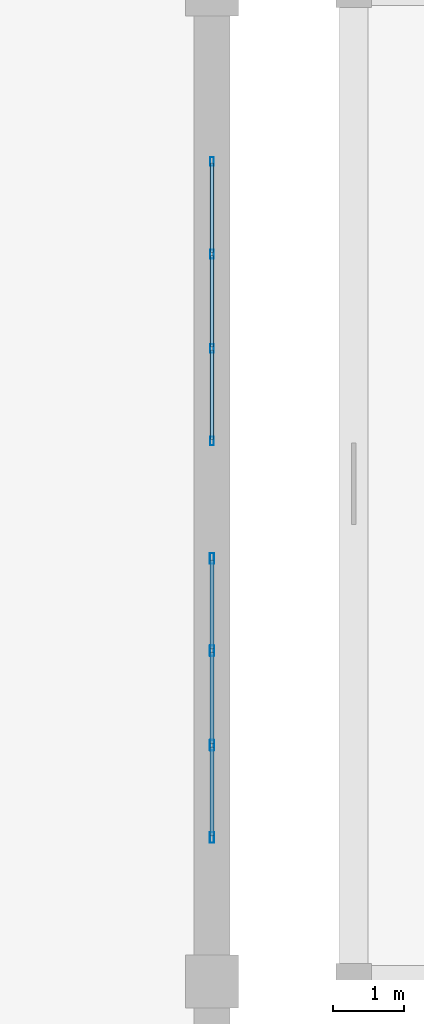
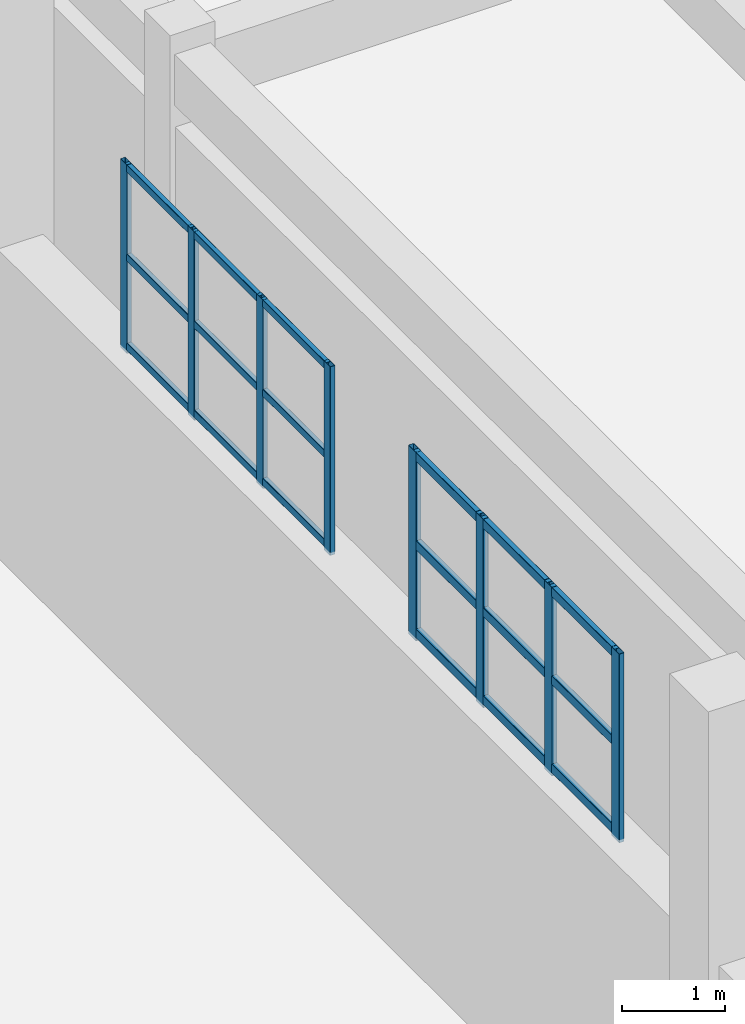
# One storey, part 116 of 197: 26 members, 2 elements without a shape of their own.
"""IFC4 building model written with IfcOpenShell, lengths in metres."""

from ifc_helpers import new_model, si_unit, derived_unit, direction, frame, origin, origin_2d, place, context, subcontext, project, spatial, hollow_rectangle, extrude, material, layer, layer_set, material_profile, profile_set, type_object, element, aggregate, save


model = new_model("IFC4")

# Units and contexts
model_context = context("Model", 3, precision=1e-05, world=origin(), true_north=direction((0.0, 1.0)))
body_context = subcontext(model_context, "Body", "Model", "MODEL_VIEW")
ifc_project = project(units=[si_unit("LENGTHUNIT", "METRE"), si_unit("AREAUNIT", "SQUARE_METRE"), si_unit("VOLUMEUNIT", "CUBIC_METRE"), si_unit("PLANEANGLEUNIT", "RADIAN"), si_unit("MASSUNIT", "GRAM", prefix="KILO"), derived_unit("THERMALTRANSMITTANCEUNIT", [(si_unit("POWERUNIT", "WATT"), 1), (si_unit("LENGTHUNIT", "METRE"), -2), (si_unit("THERMODYNAMICTEMPERATUREUNIT", "KELVIN"), -1)])], contexts=[model_context])

# Site, building, storey
site_placement = place(None, origin())
site = spatial("IfcSite", under=ifc_project, at=site_placement, CompositionType="ELEMENT")
building_placement = place(site_placement, origin())
building = spatial("IfcBuilding", under=site, at=building_placement, Name="Almenara Railside Exhibition Hall", CompositionType="ELEMENT")
storey_placement = place(building_placement, frame((0.0, 0.0, 5.39990234375)))
storey = spatial("IfcBuildingStorey", under=building, at=storey_placement, Name="L01", CompositionType="ELEMENT", Elevation=5.39990234375)

# Curtain wall, members
ifc_material_1 = material(Name="Bronze-anodised aluminium and low-E double glazing", Category="aluminium")
ifc_layer = layer(ifc_material_1, 0.179931640625, Name="Bronze-anodised aluminium and low-E double glazing")
ifc_layer_set = layer_set([ifc_layer], Name="Bronze-anodised aluminium and low-E double glazing")
curtain_wall_type = type_object("IfcCurtainWallType", Name="East Hall Clerestory Curtain Wall 4000x2100", PredefinedType="NOTDEFINED", material=ifc_layer_set)
curtain_wall_1_placement = place(storey_placement, origin())
curtain_wall_1 = element("IfcCurtainWall", 1, at=curtain_wall_1_placement, inside=storey, type_object=curtain_wall_type, Name="Curtain wall CW-CL4-058", PredefinedType="NOTDEFINED")
ifc_material_2 = material(Name="Bronze-anodised aluminium", Category="aluminium")
ifc_material_profile_1 = material_profile(ifc_material_2, hollow_rectangle(XDim=0.054931640625, YDim=0.125, WallThickness=0.0029296875, InnerFilletRadius=0.0029296875, OuterFilletRadius=0.006103515625, at=origin_2d()), Name="ALU-MUL 55x125x3")
ifc_profile_set_1 = profile_set([ifc_material_profile_1], Name="Bronze-anodised aluminium")
member_type_1 = type_object("IfcMemberType", Name="Curtain Wall Mullion 55x125x3", PredefinedType="MULLION", material=ifc_profile_set_1)
member_1_placement = place(storey_placement, frame((192.0, 55.62744140625, 3.614990234375), z_axis=(0.0, 0.0, 1.0), x_axis=(-1.0, 0.0, 0.0)))
member_1 = element("IfcMember", 2, at=member_1_placement, type_object=member_type_1, Name="CW-CL4-058 mullion 1", PredefinedType="MULLION", context=body_context, shape_type="SweptSolid", body=[
    extrude(hollow_rectangle(XDim=0.054931640625, YDim=0.125, WallThickness=0.0029296875, InnerFilletRadius=0.0029296875, OuterFilletRadius=0.006103515625, at=origin_2d()), origin(), (0.0, 0.0, 1.0), 2.235107421875),
])
member_2_placement = place(storey_placement, frame((192.0, 56.933349609375, 3.614990234375), z_axis=(0.0, 0.0, 1.0), x_axis=(-1.0, 0.0, 0.0)))
member_2 = element("IfcMember", 3, at=member_2_placement, type_object=member_type_1, Name="CW-CL4-058 mullion 2", PredefinedType="MULLION", context=body_context, shape_type="SweptSolid", body=[
    extrude(hollow_rectangle(XDim=0.054931640625, YDim=0.125, WallThickness=0.0029296875, InnerFilletRadius=0.0029296875, OuterFilletRadius=0.006103515625, at=origin_2d()), origin(), (0.0, 0.0, 1.0), 2.235107421875),
])
member_3_placement = place(storey_placement, frame((192.0, 58.2666015625, 3.614990234375), z_axis=(0.0, 0.0, 1.0), x_axis=(-1.0, 0.0, 0.0)))
member_3 = element("IfcMember", 4, at=member_3_placement, type_object=member_type_1, Name="CW-CL4-058 mullion 3", PredefinedType="MULLION", context=body_context, shape_type="SweptSolid", body=[
    extrude(hollow_rectangle(XDim=0.054931640625, YDim=0.125, WallThickness=0.0029296875, InnerFilletRadius=0.0029296875, OuterFilletRadius=0.006103515625, at=origin_2d()), origin(), (0.0, 0.0, 1.0), 2.235107421875),
])
member_4_placement = place(storey_placement, frame((192.0, 59.572509765625, 3.614990234375), z_axis=(0.0, 0.0, 1.0), x_axis=(-1.0, 0.0, 0.0)))
member_4 = element("IfcMember", 5, at=member_4_placement, type_object=member_type_1, Name="CW-CL4-058 mullion 4", PredefinedType="MULLION", context=body_context, shape_type="SweptSolid", body=[
    extrude(hollow_rectangle(XDim=0.054931640625, YDim=0.125, WallThickness=0.0029296875, InnerFilletRadius=0.0029296875, OuterFilletRadius=0.006103515625, at=origin_2d()), origin(), (0.0, 0.0, 1.0), 2.235107421875),
])

curtain_wall_2_placement = place(storey_placement, origin())
curtain_wall_2 = element("IfcCurtainWall", 6, at=curtain_wall_2_placement, inside=storey, type_object=curtain_wall_type, Name="Curtain wall CW-CL4-057", PredefinedType="NOTDEFINED")
ifc_material_profile_2 = material_profile(ifc_material_2, hollow_rectangle(XDim=0.06005859375, YDim=0.14990234375, WallThickness=0.00341796875, InnerFilletRadius=0.00341796875, OuterFilletRadius=0.007080078125, at=origin_2d()), Name="ALU-MUL 60x150x3.5")
ifc_profile_set_2 = profile_set([ifc_material_profile_2], Name="Bronze-anodised aluminium")
member_type_2 = type_object("IfcMemberType", Name="Curtain Wall Mullion 60x150x3.5", PredefinedType="MULLION", material=ifc_profile_set_2)
member_5_placement = place(storey_placement, frame((192.0, 50.030029296875, 3.614990234375), z_axis=(0.0, 0.0, 1.0), x_axis=(-1.0, 0.0, 0.0)))
member_5 = element("IfcMember", 7, at=member_5_placement, type_object=member_type_2, Name="CW-CL4-057 mullion 1", PredefinedType="MULLION", context=body_context, shape_type="SweptSolid", body=[
    extrude(hollow_rectangle(XDim=0.06005859375, YDim=0.14990234375, WallThickness=0.00341796875, InnerFilletRadius=0.00341796875, OuterFilletRadius=0.007080078125, at=origin_2d()), origin(), (0.0, 0.0, 1.0), 2.235107421875),
])
member_6_placement = place(storey_placement, frame((192.0, 51.333251953125, 3.614990234375), z_axis=(0.0, 0.0, 1.0), x_axis=(-1.0, 0.0, 0.0)))
member_6 = element("IfcMember", 8, at=member_6_placement, type_object=member_type_2, Name="CW-CL4-057 mullion 2", PredefinedType="MULLION", context=body_context, shape_type="SweptSolid", body=[
    extrude(hollow_rectangle(XDim=0.06005859375, YDim=0.14990234375, WallThickness=0.00341796875, InnerFilletRadius=0.00341796875, OuterFilletRadius=0.007080078125, at=origin_2d()), origin(), (0.0, 0.0, 1.0), 2.235107421875),
])
member_7_placement = place(storey_placement, frame((192.0, 52.666748046875, 3.614990234375), z_axis=(0.0, 0.0, 1.0), x_axis=(-1.0, 0.0, 0.0)))
member_7 = element("IfcMember", 9, at=member_7_placement, type_object=member_type_2, Name="CW-CL4-057 mullion 3", PredefinedType="MULLION", context=body_context, shape_type="SweptSolid", body=[
    extrude(hollow_rectangle(XDim=0.06005859375, YDim=0.14990234375, WallThickness=0.00341796875, InnerFilletRadius=0.00341796875, OuterFilletRadius=0.007080078125, at=origin_2d()), origin(), (0.0, 0.0, 1.0), 2.235107421875),
])
member_8_placement = place(storey_placement, frame((192.0, 53.969970703125, 3.614990234375), z_axis=(0.0, 0.0, 1.0), x_axis=(-1.0, 0.0, 0.0)))
member_8 = element("IfcMember", 10, at=member_8_placement, type_object=member_type_2, Name="CW-CL4-057 mullion 4", PredefinedType="MULLION", context=body_context, shape_type="SweptSolid", body=[
    extrude(hollow_rectangle(XDim=0.06005859375, YDim=0.14990234375, WallThickness=0.00341796875, InnerFilletRadius=0.00341796875, OuterFilletRadius=0.007080078125, at=origin_2d()), origin(), (0.0, 0.0, 1.0), 2.235107421875),
])

# Member
ifc_material_profile_3 = material_profile(ifc_material_2, hollow_rectangle(XDim=0.054931640625, YDim=0.090087890625, WallThickness=0.0029296875, InnerFilletRadius=0.0029296875, OuterFilletRadius=0.006103515625, at=origin_2d()), Name="ALU-TRN 55x90x3")
ifc_profile_set_3 = profile_set([ifc_material_profile_3], Name="Bronze-anodised aluminium")
member_type_3 = type_object("IfcMemberType", Name="Curtain Wall Transom 55x90x3", PredefinedType="USERDEFINED", material=ifc_profile_set_3)
member_9_placement = place(storey_placement, frame((192.0, 55.64697265625, 3.695068359375), z_axis=(0.0, 1.0, 0.0), x_axis=(-1.0, 0.0, 0.0)))
member_9 = element("IfcMember", 11, at=member_9_placement, type_object=member_type_3, Name="CW-CL4-058 transom 1.1", ObjectType="TRANSOM", PredefinedType="USERDEFINED", context=body_context, shape_type="SweptSolid", body=[
    extrude(hollow_rectangle(XDim=0.054931640625, YDim=0.090087890625, WallThickness=0.0029296875, InnerFilletRadius=0.0029296875, OuterFilletRadius=0.006103515625, at=origin_2d()), origin(), (0.0, 0.0, 1.0), 1.266845703125),
])

member_10_placement = place(storey_placement, frame((192.0, 55.64697265625, 4.75), z_axis=(0.0, 1.0, 0.0), x_axis=(-1.0, 0.0, 0.0)))
member_10 = element("IfcMember", 12, at=member_10_placement, type_object=member_type_3, Name="CW-CL4-058 transom 1.2", ObjectType="TRANSOM", PredefinedType="USERDEFINED", context=body_context, shape_type="SweptSolid", body=[
    extrude(hollow_rectangle(XDim=0.054931640625, YDim=0.090087890625, WallThickness=0.0029296875, InnerFilletRadius=0.0029296875, OuterFilletRadius=0.006103515625, at=origin_2d()), origin(), (0.0, 0.0, 1.0), 1.266845703125),
])

member_11_placement = place(storey_placement, frame((192.0, 55.64697265625, 5.80517578125), z_axis=(0.0, 1.0, 0.0), x_axis=(-1.0, 0.0, 0.0)))
member_11 = element("IfcMember", 13, at=member_11_placement, type_object=member_type_3, Name="CW-CL4-058 transom 1.3", ObjectType="TRANSOM", PredefinedType="USERDEFINED", context=body_context, shape_type="SweptSolid", body=[
    extrude(hollow_rectangle(XDim=0.054931640625, YDim=0.090087890625, WallThickness=0.0029296875, InnerFilletRadius=0.0029296875, OuterFilletRadius=0.006103515625, at=origin_2d()), origin(), (0.0, 0.0, 1.0), 1.266845703125),
])

member_12_placement = place(storey_placement, frame((192.0, 56.952880859375, 3.695068359375), z_axis=(0.0, 1.0, 0.0), x_axis=(-1.0, 0.0, 0.0)))
member_12 = element("IfcMember", 14, at=member_12_placement, type_object=member_type_3, Name="CW-CL4-058 transom 2.1", ObjectType="TRANSOM", PredefinedType="USERDEFINED", context=body_context, shape_type="SweptSolid", body=[
    extrude(hollow_rectangle(XDim=0.054931640625, YDim=0.090087890625, WallThickness=0.0029296875, InnerFilletRadius=0.0029296875, OuterFilletRadius=0.006103515625, at=origin_2d()), origin(), (0.0, 0.0, 1.0), 1.294189453125),
])

member_13_placement = place(storey_placement, frame((192.0, 56.952880859375, 4.75), z_axis=(0.0, 1.0, 0.0), x_axis=(-1.0, 0.0, 0.0)))
member_13 = element("IfcMember", 15, at=member_13_placement, type_object=member_type_3, Name="CW-CL4-058 transom 2.2", ObjectType="TRANSOM", PredefinedType="USERDEFINED", context=body_context, shape_type="SweptSolid", body=[
    extrude(hollow_rectangle(XDim=0.054931640625, YDim=0.090087890625, WallThickness=0.0029296875, InnerFilletRadius=0.0029296875, OuterFilletRadius=0.006103515625, at=origin_2d()), origin(), (0.0, 0.0, 1.0), 1.294189453125),
])

member_14_placement = place(storey_placement, frame((192.0, 56.952880859375, 5.80517578125), z_axis=(0.0, 1.0, 0.0), x_axis=(-1.0, 0.0, 0.0)))
member_14 = element("IfcMember", 16, at=member_14_placement, type_object=member_type_3, Name="CW-CL4-058 transom 2.3", ObjectType="TRANSOM", PredefinedType="USERDEFINED", context=body_context, shape_type="SweptSolid", body=[
    extrude(hollow_rectangle(XDim=0.054931640625, YDim=0.090087890625, WallThickness=0.0029296875, InnerFilletRadius=0.0029296875, OuterFilletRadius=0.006103515625, at=origin_2d()), origin(), (0.0, 0.0, 1.0), 1.294189453125),
])

member_15_placement = place(storey_placement, frame((192.0, 58.2861328125, 3.695068359375), z_axis=(0.0, 1.0, 0.0), x_axis=(-1.0, 0.0, 0.0)))
member_15 = element("IfcMember", 17, at=member_15_placement, type_object=member_type_3, Name="CW-CL4-058 transom 3.1", ObjectType="TRANSOM", PredefinedType="USERDEFINED", context=body_context, shape_type="SweptSolid", body=[
    extrude(hollow_rectangle(XDim=0.054931640625, YDim=0.090087890625, WallThickness=0.0029296875, InnerFilletRadius=0.0029296875, OuterFilletRadius=0.006103515625, at=origin_2d()), origin(), (0.0, 0.0, 1.0), 1.266845703125),
])

member_16_placement = place(storey_placement, frame((192.0, 58.2861328125, 4.75), z_axis=(0.0, 1.0, 0.0), x_axis=(-1.0, 0.0, 0.0)))
member_16 = element("IfcMember", 18, at=member_16_placement, type_object=member_type_3, Name="CW-CL4-058 transom 3.2", ObjectType="TRANSOM", PredefinedType="USERDEFINED", context=body_context, shape_type="SweptSolid", body=[
    extrude(hollow_rectangle(XDim=0.054931640625, YDim=0.090087890625, WallThickness=0.0029296875, InnerFilletRadius=0.0029296875, OuterFilletRadius=0.006103515625, at=origin_2d()), origin(), (0.0, 0.0, 1.0), 1.266845703125),
])

member_17_placement = place(storey_placement, frame((192.0, 58.2861328125, 5.80517578125), z_axis=(0.0, 1.0, 0.0), x_axis=(-1.0, 0.0, 0.0)))
member_17 = element("IfcMember", 19, at=member_17_placement, type_object=member_type_3, Name="CW-CL4-058 transom 3.3", ObjectType="TRANSOM", PredefinedType="USERDEFINED", context=body_context, shape_type="SweptSolid", body=[
    extrude(hollow_rectangle(XDim=0.054931640625, YDim=0.090087890625, WallThickness=0.0029296875, InnerFilletRadius=0.0029296875, OuterFilletRadius=0.006103515625, at=origin_2d()), origin(), (0.0, 0.0, 1.0), 1.266845703125),
])

aggregate(curtain_wall_1, [member_1, member_2, member_3, member_4, member_9, member_10, member_11, member_12, member_13, member_14, member_15, member_16, member_17])

ifc_material_profile_4 = material_profile(ifc_material_2, hollow_rectangle(XDim=0.06005859375, YDim=0.110107421875, WallThickness=0.0029296875, InnerFilletRadius=0.0029296875, OuterFilletRadius=0.006103515625, at=origin_2d()), Name="ALU-TRN 60x110x3")
ifc_profile_set_4 = profile_set([ifc_material_profile_4], Name="Bronze-anodised aluminium")
member_type_4 = type_object("IfcMemberType", Name="Curtain Wall Transom 60x110x3", PredefinedType="USERDEFINED", material=ifc_profile_set_4)
member_18_placement = place(storey_placement, frame((192.0, 50.052001953125, 3.705078125), z_axis=(0.0, 1.0, 0.0), x_axis=(-1.0, 0.0, 0.0)))
member_18 = element("IfcMember", 20, at=member_18_placement, type_object=member_type_4, Name="CW-CL4-057 transom 1.1", ObjectType="TRANSOM", PredefinedType="USERDEFINED", context=body_context, shape_type="SweptSolid", body=[
    extrude(hollow_rectangle(XDim=0.06005859375, YDim=0.110107421875, WallThickness=0.0029296875, InnerFilletRadius=0.0029296875, OuterFilletRadius=0.006103515625, at=origin_2d()), origin(), (0.0, 0.0, 1.0), 1.25927734375),
])

member_19_placement = place(storey_placement, frame((192.0, 50.052001953125, 4.75), z_axis=(0.0, 1.0, 0.0), x_axis=(-1.0, 0.0, 0.0)))
member_19 = element("IfcMember", 21, at=member_19_placement, type_object=member_type_4, Name="CW-CL4-057 transom 1.2", ObjectType="TRANSOM", PredefinedType="USERDEFINED", context=body_context, shape_type="SweptSolid", body=[
    extrude(hollow_rectangle(XDim=0.06005859375, YDim=0.110107421875, WallThickness=0.0029296875, InnerFilletRadius=0.0029296875, OuterFilletRadius=0.006103515625, at=origin_2d()), origin(), (0.0, 0.0, 1.0), 1.25927734375),
])

member_20_placement = place(storey_placement, frame((192.0, 50.052001953125, 5.795166015625), z_axis=(0.0, 1.0, 0.0), x_axis=(-1.0, 0.0, 0.0)))
member_20 = element("IfcMember", 22, at=member_20_placement, type_object=member_type_4, Name="CW-CL4-057 transom 1.3", ObjectType="TRANSOM", PredefinedType="USERDEFINED", context=body_context, shape_type="SweptSolid", body=[
    extrude(hollow_rectangle(XDim=0.06005859375, YDim=0.110107421875, WallThickness=0.0029296875, InnerFilletRadius=0.0029296875, OuterFilletRadius=0.006103515625, at=origin_2d()), origin(), (0.0, 0.0, 1.0), 1.25927734375),
])

member_21_placement = place(storey_placement, frame((192.0, 51.355224609375, 3.705078125), z_axis=(0.0, 1.0, 0.0), x_axis=(-1.0, 0.0, 0.0)))
member_21 = element("IfcMember", 23, at=member_21_placement, type_object=member_type_4, Name="CW-CL4-057 transom 2.1", ObjectType="TRANSOM", PredefinedType="USERDEFINED", context=body_context, shape_type="SweptSolid", body=[
    extrude(hollow_rectangle(XDim=0.06005859375, YDim=0.110107421875, WallThickness=0.0029296875, InnerFilletRadius=0.0029296875, OuterFilletRadius=0.006103515625, at=origin_2d()), origin(), (0.0, 0.0, 1.0), 1.28955078125),
])

member_22_placement = place(storey_placement, frame((192.0, 51.355224609375, 4.75), z_axis=(0.0, 1.0, 0.0), x_axis=(-1.0, 0.0, 0.0)))
member_22 = element("IfcMember", 24, at=member_22_placement, type_object=member_type_4, Name="CW-CL4-057 transom 2.2", ObjectType="TRANSOM", PredefinedType="USERDEFINED", context=body_context, shape_type="SweptSolid", body=[
    extrude(hollow_rectangle(XDim=0.06005859375, YDim=0.110107421875, WallThickness=0.0029296875, InnerFilletRadius=0.0029296875, OuterFilletRadius=0.006103515625, at=origin_2d()), origin(), (0.0, 0.0, 1.0), 1.28955078125),
])

member_23_placement = place(storey_placement, frame((192.0, 51.355224609375, 5.795166015625), z_axis=(0.0, 1.0, 0.0), x_axis=(-1.0, 0.0, 0.0)))
member_23 = element("IfcMember", 25, at=member_23_placement, type_object=member_type_4, Name="CW-CL4-057 transom 2.3", ObjectType="TRANSOM", PredefinedType="USERDEFINED", context=body_context, shape_type="SweptSolid", body=[
    extrude(hollow_rectangle(XDim=0.06005859375, YDim=0.110107421875, WallThickness=0.0029296875, InnerFilletRadius=0.0029296875, OuterFilletRadius=0.006103515625, at=origin_2d()), origin(), (0.0, 0.0, 1.0), 1.28955078125),
])

member_24_placement = place(storey_placement, frame((192.0, 52.688720703125, 3.705078125), z_axis=(0.0, 1.0, 0.0), x_axis=(-1.0, 0.0, 0.0)))
member_24 = element("IfcMember", 26, at=member_24_placement, type_object=member_type_4, Name="CW-CL4-057 transom 3.1", ObjectType="TRANSOM", PredefinedType="USERDEFINED", context=body_context, shape_type="SweptSolid", body=[
    extrude(hollow_rectangle(XDim=0.06005859375, YDim=0.110107421875, WallThickness=0.0029296875, InnerFilletRadius=0.0029296875, OuterFilletRadius=0.006103515625, at=origin_2d()), origin(), (0.0, 0.0, 1.0), 1.25927734375),
])

member_25_placement = place(storey_placement, frame((192.0, 52.688720703125, 4.75), z_axis=(0.0, 1.0, 0.0), x_axis=(-1.0, 0.0, 0.0)))
member_25 = element("IfcMember", 27, at=member_25_placement, type_object=member_type_4, Name="CW-CL4-057 transom 3.2", ObjectType="TRANSOM", PredefinedType="USERDEFINED", context=body_context, shape_type="SweptSolid", body=[
    extrude(hollow_rectangle(XDim=0.06005859375, YDim=0.110107421875, WallThickness=0.0029296875, InnerFilletRadius=0.0029296875, OuterFilletRadius=0.006103515625, at=origin_2d()), origin(), (0.0, 0.0, 1.0), 1.25927734375),
])

member_26_placement = place(storey_placement, frame((192.0, 52.688720703125, 5.795166015625), z_axis=(0.0, 1.0, 0.0), x_axis=(-1.0, 0.0, 0.0)))
member_26 = element("IfcMember", 28, at=member_26_placement, type_object=member_type_4, Name="CW-CL4-057 transom 3.3", ObjectType="TRANSOM", PredefinedType="USERDEFINED", context=body_context, shape_type="SweptSolid", body=[
    extrude(hollow_rectangle(XDim=0.06005859375, YDim=0.110107421875, WallThickness=0.0029296875, InnerFilletRadius=0.0029296875, OuterFilletRadius=0.006103515625, at=origin_2d()), origin(), (0.0, 0.0, 1.0), 1.25927734375),
])

aggregate(curtain_wall_2, [member_5, member_6, member_7, member_8, member_18, member_19, member_20, member_21, member_22, member_23, member_24, member_25, member_26])

save(model, "model.ifc")
